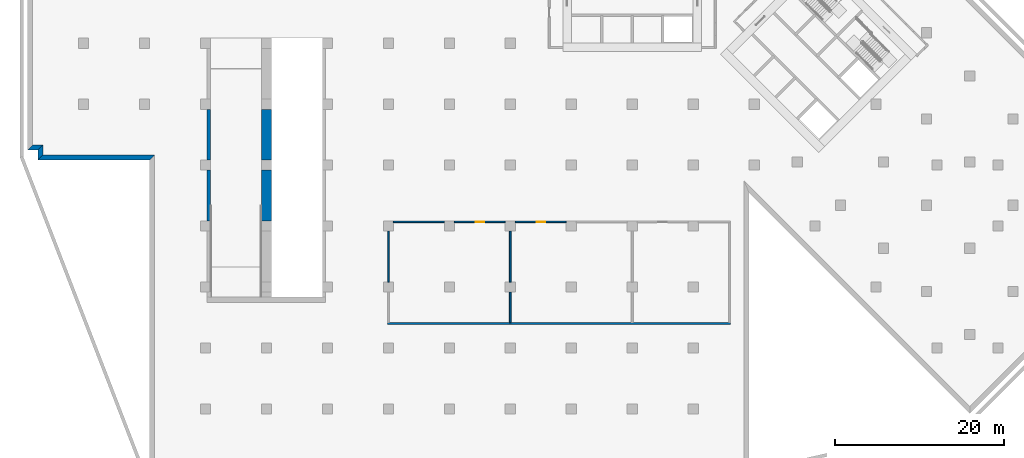
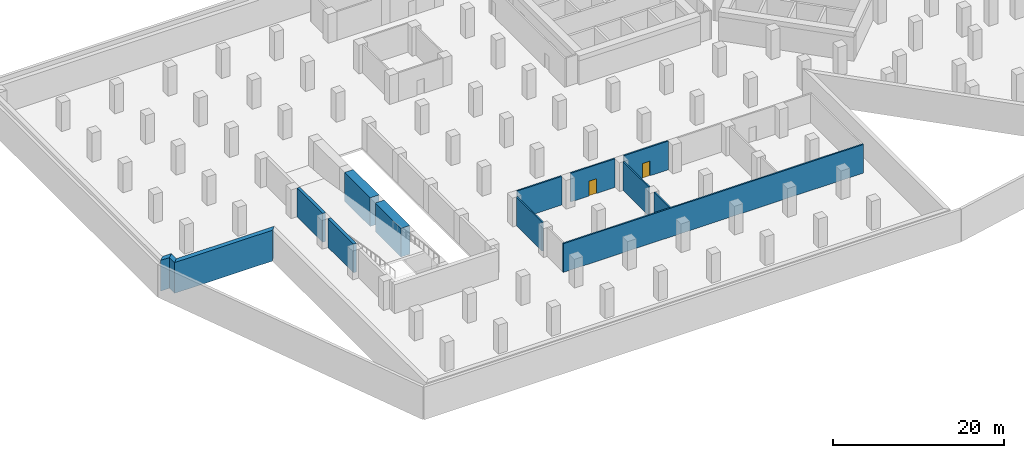
# One storey, part 2 of 11: 14 walls, 2 doors, 2 openings.
"""IFC4 building model written with IfcOpenShell, lengths in metres."""

from ifc_helpers import new_model, si_unit, direction, frame, frame_2d, origin, place, context, subcontext, project, spatial, polyline, rectangle, outline, extrude, material, layer, layer_set, type_object, element, fill, save


model = new_model("IFC4")

# Units and contexts
model_context = context("Model", 3, precision=1e-05, world=origin(), true_north=direction((0.0, 1.0)))
body_context = subcontext(model_context, "Body", "Model", "MODEL_VIEW")
ifc_project = project(units=[si_unit("LENGTHUNIT", "METRE"), si_unit("AREAUNIT", "SQUARE_METRE"), si_unit("VOLUMEUNIT", "CUBIC_METRE"), si_unit("PLANEANGLEUNIT", "RADIAN"), si_unit("MASSUNIT", "GRAM", prefix="KILO")], contexts=[model_context])

# Site, building, storey
site_placement = place(None, origin())
site = spatial("IfcSite", under=ifc_project, at=site_placement, CompositionType="ELEMENT")
building_placement = place(site_placement, origin())
building = spatial("IfcBuilding", under=site, at=building_placement, Name="Windrow Commons", CompositionType="ELEMENT")
storey_placement = place(building_placement, frame((0.0, 0.0, -4.5)))
storey = spatial("IfcBuildingStorey", under=building, at=storey_placement, Name="B1", CompositionType="ELEMENT", Elevation=-4.5)

# Walls
ifc_material_1 = material(Name="Blockwork partition", Category="masonry")
ifc_layer_1 = layer(ifc_material_1, 0.2)
ifc_layer_set_1 = layer_set([ifc_layer_1], Name="CP-PART-200")
wall_type_1 = type_object("IfcWallType", Name="CP-PART-200", PredefinedType="PARTITIONING", material=ifc_layer_set_1)
wall_1_placement = place(storey_placement, frame((36.0, 22.2, 0.0), z_axis=(0.0, 0.0, 1.0), x_axis=(0.0, 1.0, 0.0)))
element("IfcWall", 1, at=wall_1_placement, inside=storey, type_object=wall_type_1, Name="Plant room wall 02", PredefinedType="PARTITIONING", context=body_context, shape_type="SweptSolid", body=[
    extrude(rectangle(XDim=6.0, YDim=0.2, at=frame_2d((3.0, 0.0))), origin(), (0.0, 0.0, 1.0), 4.1),
])
wall_2_placement = place(storey_placement, frame((50.4, 17.4, 0.0), z_axis=(0.0, 0.0, 1.0), x_axis=(0.0, 1.0, 0.0)))
element("IfcWall", 2, at=wall_2_placement, inside=storey, type_object=wall_type_1, Name="Plant room wall 06", PredefinedType="PARTITIONING", context=body_context, shape_type="SweptSolid", body=[
    extrude(rectangle(XDim=3.6, YDim=0.2, at=frame_2d((1.8, 0.0))), origin(), (0.0, 0.0, 1.0), 4.1),
])
wall_3_placement = place(storey_placement, frame((50.4, 22.2, 0.0), z_axis=(0.0, 0.0, 1.0), x_axis=(0.0, 1.0, 0.0)))
element("IfcWall", 3, at=wall_3_placement, inside=storey, type_object=wall_type_1, Name="Plant room wall 07", PredefinedType="PARTITIONING", context=body_context, shape_type="SweptSolid", body=[
    extrude(rectangle(XDim=6.0, YDim=0.2, at=frame_2d((3.0, 0.0))), origin(), (0.0, 0.0, 1.0), 4.1),
])
wall_4_placement = place(storey_placement, frame((35.9, 17.3, 0.0), z_axis=(0.0, 0.0, 1.0), x_axis=(1.0, 0.0, 0.0)))
element("IfcWall", 4, at=wall_4_placement, inside=storey, type_object=wall_type_1, Name="Plant room wall 12", PredefinedType="PARTITIONING", context=body_context, shape_type="SweptSolid", body=[
    extrude(rectangle(XDim=40.5, YDim=0.2, at=frame_2d((20.25, 0.0))), origin(), (0.0, 0.0, 1.0), 4.1),
])
wall_5_placement = place(storey_placement, frame((36.6, 29.3, 0.0), z_axis=(0.0, 0.0, 1.0), x_axis=(1.0, 0.0, 0.0)))
element("IfcWall", 5, at=wall_5_placement, inside=storey, type_object=wall_type_1, Name="Plant room wall 13", PredefinedType="PARTITIONING", context=body_context, shape_type="SweptSolid", body=[
    extrude(rectangle(XDim=6.0, YDim=0.2, at=frame_2d((3.0, 0.0))), origin(), (0.0, 0.0, 1.0), 4.1),
])

# Wall, opening, door
wall_6_placement = place(storey_placement, frame((43.8, 29.3, 0.0), z_axis=(0.0, 0.0, 1.0), x_axis=(1.0, 0.0, 0.0)))
wall_6 = element("IfcWall", 6, at=wall_6_placement, inside=storey, type_object=wall_type_1, Name="Plant room wall 14", PredefinedType="PARTITIONING", context=body_context, shape_type="SweptSolid", body=[
    extrude(rectangle(XDim=6.0, YDim=0.2, at=frame_2d((3.0, 0.0))), origin(), (0.0, 0.0, 1.0), 4.1),
])
opening_1_placement = place(wall_6_placement, frame((2.5, 0.0, 0.0)))
opening_1 = element("IfcOpeningElement", 7, at=opening_1_placement, cuts=wall_6, Name="Opening B1-D51", PredefinedType="OPENING", context=body_context, shape_type="SweptSolid", body=[
    extrude(rectangle(XDim=1.0, YDim=2.1, at=frame_2d((0.5, 1.05))), frame((0.0, 0.11, 0.0), z_axis=(0.0, -1.0, 0.0), x_axis=(1.0, 0.0, 0.0)), (0.0, 0.0, 1.0), 0.22),
])
ifc_material_2 = material(Name="Steel fire door leaf", Category="steel")
door_type = type_object("IfcDoorType", Name="CP-DOOR-1000", OperationType="SINGLE_SWING_LEFT", PredefinedType="DOOR", material=ifc_material_2)
door_1_placement = place(opening_1_placement, origin())
door_1 = element("IfcDoor", 8, at=door_1_placement, inside=storey, type_object=door_type, Name="D-B1-PLANT-01", OperationType="SINGLE_SWING_RIGHT", OverallHeight=2.1, OverallWidth=1.0, PredefinedType="DOOR", context=body_context, shape_type="SweptSolid", body=[
    extrude(rectangle(XDim=1.0, YDim=2.1, at=frame_2d((0.5, 1.05))), frame((0.0, 0.025, 0.0), z_axis=(0.0, -1.0, 0.0), x_axis=(1.0, 0.0, 0.0)), (0.0, 0.0, 1.0), 0.05),
])
fill(opening_1, door_1)

wall_7_placement = place(storey_placement, frame((51.0, 29.3, 0.0), z_axis=(0.0, 0.0, 1.0), x_axis=(1.0, 0.0, 0.0)))
wall_7 = element("IfcWall", 9, at=wall_7_placement, inside=storey, type_object=wall_type_1, Name="Plant room wall 15", PredefinedType="PARTITIONING", context=body_context, shape_type="SweptSolid", body=[
    extrude(rectangle(XDim=6.0, YDim=0.2, at=frame_2d((3.0, 0.0))), origin(), (0.0, 0.0, 1.0), 4.1),
])
opening_2_placement = place(wall_7_placement, frame((2.5, 0.0, 0.0)))
opening_2 = element("IfcOpeningElement", 10, at=opening_2_placement, cuts=wall_7, Name="Opening B1-D52", PredefinedType="OPENING", context=body_context, shape_type="SweptSolid", body=[
    extrude(rectangle(XDim=1.0, YDim=2.1, at=frame_2d((0.5, 1.05))), frame((0.0, 0.11, 0.0), z_axis=(0.0, -1.0, 0.0), x_axis=(1.0, 0.0, 0.0)), (0.0, 0.0, 1.0), 0.22),
])
door_2_placement = place(opening_2_placement, origin())
door_2 = element("IfcDoor", 11, at=door_2_placement, inside=storey, type_object=door_type, Name="D-B1-PLANT-02", OperationType="SINGLE_SWING_LEFT", OverallHeight=2.1, OverallWidth=1.0, PredefinedType="DOOR", context=body_context, shape_type="SweptSolid", body=[
    extrude(rectangle(XDim=1.0, YDim=2.1, at=frame_2d((0.5, 1.05))), frame((0.0, 0.025, 0.0), z_axis=(0.0, -1.0, 0.0), x_axis=(1.0, 0.0, 0.0)), (0.0, 0.0, 1.0), 0.05),
])
fill(opening_2, door_2)

# Walls
ifc_material_3 = material(Name="Concrete C40/50", Category="concrete")
ifc_layer_2 = layer(ifc_material_3, 1.2)
ifc_layer_set_2 = layer_set([ifc_layer_2], Name="CP-WALL-1200")
wall_type_2 = type_object("IfcWallType", Name="CP-WALL-1200", PredefinedType="SOLIDWALL", material=ifc_layer_set_2)
for number, where, z_axis, x_axis, name in (
    (12, (21.6, 29.4, 0.0), (0.0, 0.0, 1.0), (0.0, 1.0, 0.0), "Ramp wall D3 B1"),
    (13, (21.6, 36.6, 0.0), (0.0, 0.0, 1.0), (0.0, 1.0, 0.0), "Ramp wall D4 B1"),
):
    element("IfcWall", number, at=place(storey_placement, frame(where, z_axis=z_axis, x_axis=x_axis)), inside=storey, type_object=wall_type_2, Name=name, PredefinedType="SOLIDWALL", context=body_context, shape_type="SweptSolid", body=[
        extrude(rectangle(XDim=6.0, YDim=1.2, at=frame_2d((3.0, 0.0))), origin(), (0.0, 0.0, 1.0), 4.1),
    ])
ifc_material_4 = material(Name="Concrete C40/50", Category="concrete")
ifc_layer_3 = layer(ifc_material_4, 0.4)
ifc_layer_set_3 = layer_set([ifc_layer_3], Name="CP-WALL-400")
wall_type_3 = type_object("IfcWallType", Name="CP-WALL-400", PredefinedType="SOLIDWALL", material=ifc_layer_set_3)
for number, where, z_axis, x_axis, name in (
    (14, (14.8, 29.4, 0.0), (0.0, 0.0, 1.0), (0.0, 1.0, 0.0), "Ramp wall W3 B1"),
    (15, (14.8, 36.6, 0.0), (0.0, 0.0, 1.0), (0.0, 1.0, 0.0), "Ramp wall W4 B1"),
):
    element("IfcWall", number, at=place(storey_placement, frame(where, z_axis=z_axis, x_axis=x_axis)), inside=storey, type_object=wall_type_3, Name=name, PredefinedType="SOLIDWALL", context=body_context, shape_type="SweptSolid", body=[
        extrude(rectangle(XDim=6.0, YDim=0.4, at=frame_2d((3.0, 0.0))), origin(), (0.0, 0.0, 1.0), 4.1),
    ])
ifc_material_5 = material(Name="Concrete C40/50", Category="concrete")
ifc_layer_4 = layer(ifc_material_5, 0.6)
ifc_layer_set_4 = layer_set([ifc_layer_4], Name="RC RETAINING WALL 600 C40/50")
wall_type_4 = type_object("IfcWallType", Name="RC RETAINING WALL 600 C40/50", PredefinedType="SOLIDWALL", material=ifc_layer_set_4)
placement = place(storey_placement, frame((0.0, 0.0, -0.3)))
element("IfcWall", 16, at=placement, inside=storey, type_object=wall_type_4, Name="Retaining wall B1-01", PredefinedType="SOLIDWALL", context=body_context, shape_type="SweptSolid", body=[
    extrude(outline(polyline([(-4.8, 37.2), (8.4, 37.2), (7.8, 36.6), (-5.4, 36.6), (-4.8, 37.2)])), origin(), (0.0, 0.0, 1.0), 4.4),
])
element("IfcWall", 17, at=placement, inside=storey, type_object=wall_type_4, Name="Retaining wall B1-14", PredefinedType="SOLIDWALL", context=body_context, shape_type="SweptSolid", body=[
    extrude(outline(polyline([(-6.0, 38.4), (-4.8, 38.4), (-5.4, 37.8), (-6.6, 37.8), (-6.0, 38.4)])), origin(), (0.0, 0.0, 1.0), 4.4),
])
element("IfcWall", 18, at=placement, inside=storey, type_object=wall_type_4, Name="Retaining wall B1-15", PredefinedType="SOLIDWALL", context=body_context, shape_type="SweptSolid", body=[
    extrude(outline(polyline([(-4.8, 38.4), (-4.8, 37.2), (-5.4, 36.6), (-5.4, 37.8), (-4.8, 38.4)])), origin(), (0.0, 0.0, 1.0), 4.4),
])

save(model, "model.ifc")
